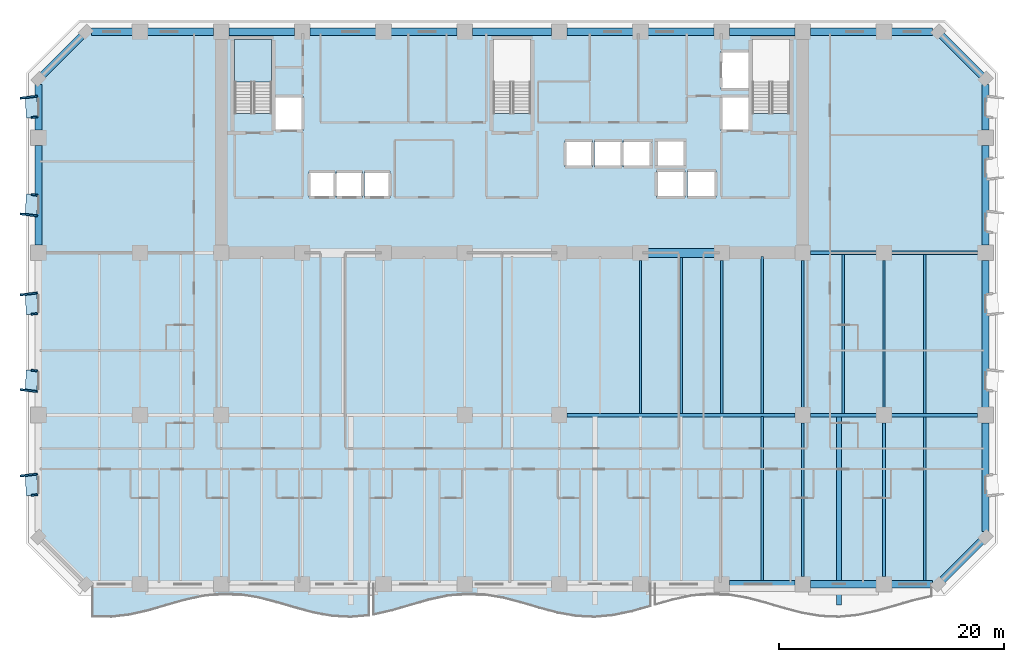
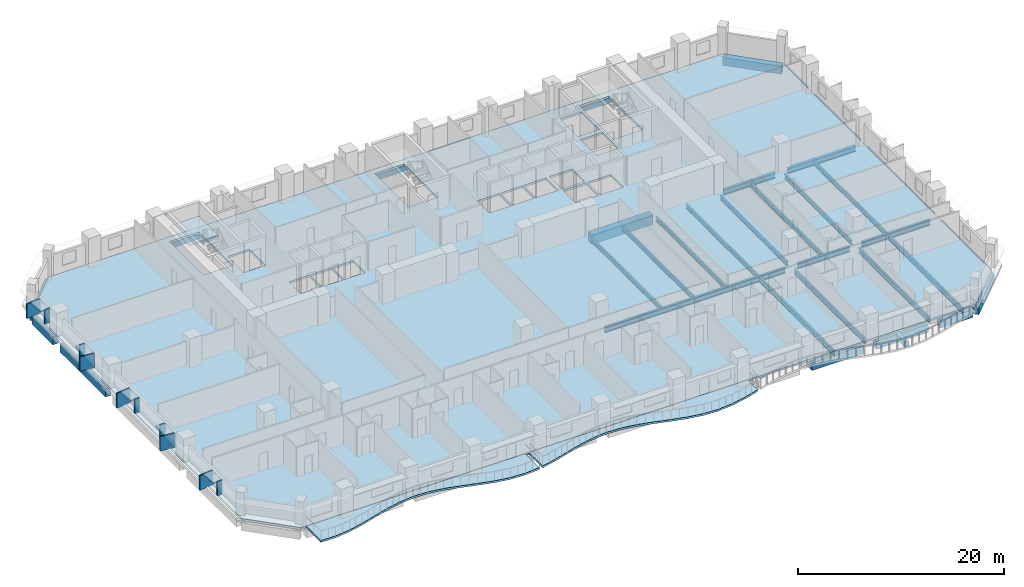
# One storey, part 2 of 15: 42 beams, 15 plates, 4 slabs, 1 element without a shape of its own.
"""IFC4 building model written with IfcOpenShell, lengths in metres."""

from ifc_helpers import new_model, si_unit, direction, frame, origin, origin_2d, place, context, subcontext, project, spatial, polyline, rectangle, i_section, outline, extrude, material, layer, layer_set, material_profile, profile_set, type_object, element, aggregate, save


model = new_model("IFC4")

# Units and contexts
model_context = context("Model", 3, precision=1e-05, world=origin(), true_north=direction((0.0, 1.0)))
body_context = subcontext(model_context, "Body", "Model", "MODEL_VIEW")
ifc_project = project(units=[si_unit("LENGTHUNIT", "METRE"), si_unit("AREAUNIT", "SQUARE_METRE"), si_unit("VOLUMEUNIT", "CUBIC_METRE"), si_unit("PLANEANGLEUNIT", "RADIAN"), si_unit("MASSUNIT", "GRAM", prefix="KILO")], contexts=[model_context])

# Site, building, storey
site_placement = place(None, origin())
site = spatial("IfcSite", under=ifc_project, at=site_placement, CompositionType="ELEMENT")
building_placement = place(site_placement, origin())
building = spatial("IfcBuilding", under=site, at=building_placement, Name="Kaelvorn Grand Hotel", CompositionType="ELEMENT")
storey_placement = place(building_placement, frame((0.0, 0.0, 46.39990234375)))
storey = spatial("IfcBuildingStorey", under=building, at=storey_placement, Name="L09", CompositionType="ELEMENT", Elevation=46.39990234375)

# Beams
ifc_material_1 = material(Name="Steel S355", Category="steel")
ifc_material_profile_1 = material_profile(ifc_material_1, i_section(OverallWidth=0.300048828125, OverallDepth=0.64990234375, WebThickness=0.01611328125, FlangeThickness=0.031005859375, FilletRadius=0.027099609375, at=origin_2d()), Name="HEB 650")
ifc_profile_set_1 = profile_set([ifc_material_profile_1], Name="Steel S355")
beam_type_1 = type_object("IfcBeamType", Name="BM-G-HEB650-S355", PredefinedType="BEAM", material=ifc_profile_set_1)
beam_1_placement = place(storey_placement, frame((46.885009765625, 15.0, -0.56494140625), z_axis=(1.0, 0.0, 0.0), x_axis=(0.0, 1.0, 0.0)))
element("IfcBeam", 1, at=beam_1_placement, inside=storey, type_object=beam_type_1, Name="L09 Primary Spine Steel Girder G-15 05", PredefinedType="BEAM", context=body_context, shape_type="SweptSolid", body=[
    extrude(i_section(OverallWidth=0.300048828125, OverallDepth=0.64990234375, WebThickness=0.01611328125, FlangeThickness=0.031005859375, FilletRadius=0.027099609375, at=origin_2d()), origin(), (0.0, 0.0, 1.0), 20.22998046875),
])
beam_2_placement = place(storey_placement, frame((68.485107421875, 15.0, -0.56494140625), z_axis=(1.0, 0.0, 0.0), x_axis=(0.0, 1.0, 0.0)))
element("IfcBeam", 2, at=beam_2_placement, inside=storey, type_object=beam_type_1, Name="L09 Primary Spine Steel Girder G-15 06", PredefinedType="BEAM", context=body_context, shape_type="SweptSolid", body=[
    extrude(i_section(OverallWidth=0.300048828125, OverallDepth=0.64990234375, WebThickness=0.01611328125, FlangeThickness=0.031005859375, FilletRadius=0.027099609375, at=origin_2d()), origin(), (0.0, 0.0, 1.0), 5.829833984375),
])
beam_3_placement = place(storey_placement, frame((75.68505859375, 15.0, -0.56494140625), z_axis=(1.0, 0.0, 0.0), x_axis=(0.0, 1.0, 0.0)))
element("IfcBeam", 3, at=beam_3_placement, inside=storey, type_object=beam_type_1, Name="L09 Primary Spine Steel Girder G-15 07", PredefinedType="BEAM", context=body_context, shape_type="SweptSolid", body=[
    extrude(i_section(OverallWidth=0.300048828125, OverallDepth=0.64990234375, WebThickness=0.01611328125, FlangeThickness=0.031005859375, FilletRadius=0.027099609375, at=origin_2d()), origin(), (0.0, 0.0, 1.0), 7.6298828125),
])
beam_4_placement = place(storey_placement, frame((68.485107421875, 29.39990234375, -0.56494140625), z_axis=(1.0, 0.0, 0.0), x_axis=(0.0, 1.0, 0.0)))
element("IfcBeam", 4, at=beam_4_placement, inside=storey, type_object=beam_type_1, Name="L09 East Core Wing Steel Girder G-29E 01", PredefinedType="BEAM", context=body_context, shape_type="SweptSolid", body=[
    extrude(i_section(OverallWidth=0.300048828125, OverallDepth=0.64990234375, WebThickness=0.01611328125, FlangeThickness=0.031005859375, FilletRadius=0.027099609375, at=origin_2d()), origin(), (0.0, 0.0, 1.0), 5.829833984375),
])
beam_5_placement = place(storey_placement, frame((75.68505859375, 29.39990234375, -0.56494140625), z_axis=(1.0, 0.0, 0.0), x_axis=(0.0, 1.0, 0.0)))
element("IfcBeam", 5, at=beam_5_placement, inside=storey, type_object=beam_type_1, Name="L09 East Core Wing Steel Girder G-29E 02", PredefinedType="BEAM", context=body_context, shape_type="SweptSolid", body=[
    extrude(i_section(OverallWidth=0.300048828125, OverallDepth=0.64990234375, WebThickness=0.01611328125, FlangeThickness=0.031005859375, FilletRadius=0.027099609375, at=origin_2d()), origin(), (0.0, 0.0, 1.0), 7.6298828125),
])
ifc_material_profile_2 = material_profile(ifc_material_1, i_section(OverallWidth=0.209228515625, OverallDepth=0.533203125, WebThickness=0.010009765625, FlangeThickness=0.015625, FilletRadius=0.0126953125, at=origin_2d()), Name="UB 533x210x92")
ifc_profile_set_2 = profile_set([ifc_material_profile_2], Name="Steel S355")
beam_type_2 = type_object("IfcBeamType", Name="BM-J-UB533-S355", PredefinedType="JOIST", material=ifc_profile_set_2)
beam_6_placement = place(storey_placement, frame((53.39990234375, 15.135009765625, -0.50634765625), z_axis=(0.0, 1.0, 0.0), x_axis=(-1.0, 0.0, 0.0)))
element("IfcBeam", 6, at=beam_6_placement, inside=storey, type_object=beam_type_2, Name="L09 Composite Floor Joist JM-15", PredefinedType="JOIST", context=body_context, shape_type="SweptSolid", body=[
    extrude(i_section(OverallWidth=0.209228515625, OverallDepth=0.533203125, WebThickness=0.010009765625, FlangeThickness=0.015625, FilletRadius=0.0126953125, at=origin_2d()), origin(), (0.0, 0.0, 1.0), 13.580078125),
])
beam_7_placement = place(storey_placement, frame((57.0, 15.135009765625, -0.50634765625), z_axis=(0.0, 1.0, 0.0), x_axis=(-1.0, 0.0, 0.0)))
element("IfcBeam", 7, at=beam_7_placement, inside=storey, type_object=beam_type_2, Name="L09 Composite Floor Joist JM-16", PredefinedType="JOIST", context=body_context, shape_type="SweptSolid", body=[
    extrude(i_section(OverallWidth=0.209228515625, OverallDepth=0.533203125, WebThickness=0.010009765625, FlangeThickness=0.015625, FilletRadius=0.0126953125, at=origin_2d()), origin(), (0.0, 0.0, 1.0), 13.925048828125),
])
beam_8_placement = place(storey_placement, frame((60.60009765625, 15.135009765625, -0.50634765625), z_axis=(0.0, 1.0, 0.0), x_axis=(-1.0, 0.0, 0.0)))
element("IfcBeam", 8, at=beam_8_placement, inside=storey, type_object=beam_type_2, Name="L09 Composite Floor Joist JM-17", PredefinedType="JOIST", context=body_context, shape_type="SweptSolid", body=[
    extrude(i_section(OverallWidth=0.209228515625, OverallDepth=0.533203125, WebThickness=0.010009765625, FlangeThickness=0.015625, FilletRadius=0.0126953125, at=origin_2d()), origin(), (0.0, 0.0, 1.0), 13.580078125),
])
beam_9_placement = place(storey_placement, frame((64.199951171875, 15.135009765625, -0.50634765625), z_axis=(0.0, 1.0, 0.0), x_axis=(-1.0, 0.0, 0.0)))
element("IfcBeam", 9, at=beam_9_placement, inside=storey, type_object=beam_type_2, Name="L09 Composite Floor Joist JM-18", PredefinedType="JOIST", context=body_context, shape_type="SweptSolid", body=[
    extrude(i_section(OverallWidth=0.209228515625, OverallDepth=0.533203125, WebThickness=0.010009765625, FlangeThickness=0.015625, FilletRadius=0.0126953125, at=origin_2d()), origin(), (0.0, 0.0, 1.0), 13.925048828125),
])
beam_10_placement = place(storey_placement, frame((67.800048828125, 15.68505859375, -0.50634765625), z_axis=(0.0, 1.0, 0.0), x_axis=(-1.0, 0.0, 0.0)))
element("IfcBeam", 10, at=beam_10_placement, inside=storey, type_object=beam_type_2, Name="L09 Composite Floor Joist JM-19", PredefinedType="JOIST", context=body_context, shape_type="SweptSolid", body=[
    extrude(i_section(OverallWidth=0.209228515625, OverallDepth=0.533203125, WebThickness=0.010009765625, FlangeThickness=0.015625, FilletRadius=0.0126953125, at=origin_2d()), origin(), (0.0, 0.0, 1.0), 13.030029296875),
])
beam_11_placement = place(storey_placement, frame((71.39990234375, 15.135009765625, -0.50634765625), z_axis=(0.0, 1.0, 0.0), x_axis=(-1.0, 0.0, 0.0)))
element("IfcBeam", 11, at=beam_11_placement, inside=storey, type_object=beam_type_2, Name="L09 Composite Floor Joist JM-20", PredefinedType="JOIST", context=body_context, shape_type="SweptSolid", body=[
    extrude(i_section(OverallWidth=0.209228515625, OverallDepth=0.533203125, WebThickness=0.010009765625, FlangeThickness=0.015625, FilletRadius=0.0126953125, at=origin_2d()), origin(), (0.0, 0.0, 1.0), 14.1298828125),
])
beam_12_placement = place(storey_placement, frame((75.0, 15.68505859375, -0.50634765625), z_axis=(0.0, 1.0, 0.0), x_axis=(-1.0, 0.0, 0.0)))
element("IfcBeam", 12, at=beam_12_placement, inside=storey, type_object=beam_type_2, Name="L09 Composite Floor Joist JM-21", PredefinedType="JOIST", context=body_context, shape_type="SweptSolid", body=[
    extrude(i_section(OverallWidth=0.209228515625, OverallDepth=0.533203125, WebThickness=0.010009765625, FlangeThickness=0.015625, FilletRadius=0.0126953125, at=origin_2d()), origin(), (0.0, 0.0, 1.0), 13.030029296875),
])
beam_13_placement = place(storey_placement, frame((78.60009765625, 15.135009765625, -0.50634765625), z_axis=(0.0, 1.0, 0.0), x_axis=(-1.0, 0.0, 0.0)))
element("IfcBeam", 13, at=beam_13_placement, inside=storey, type_object=beam_type_2, Name="L09 Composite Floor Joist JM-22", PredefinedType="JOIST", context=body_context, shape_type="SweptSolid", body=[
    extrude(i_section(OverallWidth=0.209228515625, OverallDepth=0.533203125, WebThickness=0.010009765625, FlangeThickness=0.015625, FilletRadius=0.0126953125, at=origin_2d()), origin(), (0.0, 0.0, 1.0), 14.1298828125),
])
ifc_material_profile_3 = material_profile(ifc_material_1, i_section(OverallWidth=0.22900390625, OverallDepth=0.6123046875, WebThickness=0.011962890625, FlangeThickness=0.01953125, FilletRadius=0.0126953125, at=origin_2d()), Name="UB 610x229x125")
ifc_profile_set_3 = profile_set([ifc_material_profile_3], Name="Steel S355")
beam_type_3 = type_object("IfcBeamType", Name="BM-J-UB610-S355", PredefinedType="JOIST", material=ifc_profile_set_3)
beam_14_placement = place(storey_placement, frame((64.199951171875, 0.31005859375, -0.5458984375), z_axis=(0.0, 1.0, 0.0), x_axis=(-1.0, 0.0, 0.0)))
element("IfcBeam", 14, at=beam_14_placement, inside=storey, type_object=beam_type_3, Name="L09 Composite Floor Joist JS-18", PredefinedType="JOIST", context=body_context, shape_type="SweptSolid", body=[
    extrude(i_section(OverallWidth=0.22900390625, OverallDepth=0.6123046875, WebThickness=0.011962890625, FlangeThickness=0.01953125, FilletRadius=0.0126953125, at=origin_2d()), origin(), (0.0, 0.0, 1.0), 14.554931640625),
])
for number, where, z_axis, x_axis, name in (
    (15, (67.800048828125, 0.68505859375, -0.5458984375), (0.0, 1.0, 0.0), (-1.0, 0.0, 0.0), "L09 Composite Floor Joist JS-19"),
    (16, (75.0, 0.68505859375, -0.5458984375), (0.0, 1.0, 0.0), (-1.0, 0.0, 0.0), "L09 Composite Floor Joist JS-21"),
):
    element("IfcBeam", number, at=place(storey_placement, frame(where, z_axis=z_axis, x_axis=x_axis)), inside=storey, type_object=beam_type_3, Name=name, PredefinedType="JOIST", context=body_context, shape_type="SweptSolid", body=[
        extrude(i_section(OverallWidth=0.22900390625, OverallDepth=0.6123046875, WebThickness=0.011962890625, FlangeThickness=0.01953125, FilletRadius=0.0126953125, at=origin_2d()), origin(), (0.0, 0.0, 1.0), 13.6298828125),
    ])
beam_15_placement = place(storey_placement, frame((78.60009765625, 0.31005859375, -0.5458984375), z_axis=(0.0, 1.0, 0.0), x_axis=(-1.0, 0.0, 0.0)))
element("IfcBeam", 17, at=beam_15_placement, inside=storey, type_object=beam_type_3, Name="L09 Composite Floor Joist JS-22", PredefinedType="JOIST", context=body_context, shape_type="SweptSolid", body=[
    extrude(i_section(OverallWidth=0.22900390625, OverallDepth=0.6123046875, WebThickness=0.011962890625, FlangeThickness=0.01953125, FilletRadius=0.0126953125, at=origin_2d()), origin(), (0.0, 0.0, 1.0), 14.554931640625),
])
ifc_material_2 = material(Name="Concrete C60/75", Category="concrete")
ifc_material_profile_4 = material_profile(ifc_material_2, rectangle(XDim=0.800048828125, YDim=1.10009765625, at=origin_2d()), Name="RC LINTEL 800x1100")
ifc_profile_set_4 = profile_set([ifc_material_profile_4], Name="Concrete C60/75")
beam_type_4 = type_object("IfcBeamType", Name="BM-LIN-800x1100-C60", PredefinedType="LINTEL", material=ifc_profile_set_4)
beam_16_placement = place(storey_placement, frame((53.580078125, 29.39990234375, -0.789794921875), z_axis=(1.0, 0.0, 0.0), x_axis=(0.0, 1.0, 0.0)))
element("IfcBeam", 18, at=beam_16_placement, inside=storey, type_object=beam_type_4, Name="L09 Rear-Core Coupling Lintel Beam CB1-03", PredefinedType="LINTEL", context=body_context, shape_type="SweptSolid", body=[
    extrude(rectangle(XDim=0.800048828125, YDim=1.10009765625, at=origin_2d()), origin(), (0.0, 0.0, 1.0), 6.83984375),
])
ifc_material_3 = material(Name="Concrete C40/50", Category="concrete")
ifc_material_profile_5 = material_profile(ifc_material_3, rectangle(XDim=0.449951171875, YDim=0.64990234375, at=origin_2d()), Name="RC RIB 450x650")
ifc_profile_set_5 = profile_set([ifc_material_profile_5], Name="Concrete C40/50")
beam_type_5 = type_object("IfcBeamType", Name="BM-RIB-450x650-C40", PredefinedType="SPANDREL", material=ifc_profile_set_5)
beam_17_placement = place(storey_placement, frame((71.022216796875, -1.85009765625, -0.544921875), z_axis=(0.0, 1.0, 0.0), x_axis=(-1.0, 0.0, 0.0)))
element("IfcBeam", 19, at=beam_17_placement, inside=storey, type_object=beam_type_5, Name="L09 Cantilevered Balcony Back-Span Rib RB1-3", PredefinedType="SPANDREL", context=body_context, shape_type="SweptSolid", body=[
    extrude(rectangle(XDim=0.449951171875, YDim=0.64990234375, at=origin_2d()), origin(), (0.0, 0.0, 1.0), 16.715087890625),
])
ifc_material_profile_6 = material_profile(ifc_material_2, rectangle(XDim=0.64990234375, YDim=0.949951171875, at=origin_2d()), Name="RC SPANDREL 650x950")
ifc_profile_set_6 = profile_set([ifc_material_profile_6], Name="Concrete C60/75")
beam_type_6 = type_object("IfcBeamType", Name="BM-SP-650x950-C60", PredefinedType="SPANDREL", material=ifc_profile_set_6)
beam_18_placement = place(storey_placement, frame((61.284912109375, 0.0, -0.71484375), z_axis=(1.0, 0.0, 0.0), x_axis=(0.0, 1.0, 0.0)))
element("IfcBeam", 20, at=beam_18_placement, inside=storey, type_object=beam_type_6, Name="L09 South Perimeter Spandrel 09", PredefinedType="SPANDREL", context=body_context, shape_type="SweptSolid", body=[
    extrude(rectangle(XDim=0.64990234375, YDim=0.949951171875, at=origin_2d()), origin(), (0.0, 0.0, 1.0), 5.830078125),
])
beam_19_placement = place(storey_placement, frame((68.485107421875, 0.0, -0.71484375), z_axis=(1.0, 0.0, 0.0), x_axis=(0.0, 1.0, 0.0)))
element("IfcBeam", 21, at=beam_19_placement, inside=storey, type_object=beam_type_6, Name="L09 South Perimeter Spandrel 10", PredefinedType="SPANDREL", context=body_context, shape_type="SweptSolid", body=[
    extrude(rectangle(XDim=0.64990234375, YDim=0.949951171875, at=origin_2d()), origin(), (0.0, 0.0, 1.0), 5.829833984375),
])
for number, where, z_axis, x_axis, name in (
    (22, (75.68505859375, 0.0, -0.71484375), (1.0, 0.0, 0.0), (0.0, 1.0, 0.0), "L09 South Perimeter Spandrel 11"),
    (23, (4.68505859375, 49.0, -0.71484375), (1.0, 0.0, 0.0), (0.0, 1.0, 0.0), "L09 North Perimeter Spandrel 01"),
):
    element("IfcBeam", number, at=place(storey_placement, frame(where, z_axis=z_axis, x_axis=x_axis)), inside=storey, type_object=beam_type_6, Name=name, PredefinedType="SPANDREL", context=body_context, shape_type="SweptSolid", body=[
        extrude(rectangle(XDim=0.64990234375, YDim=0.949951171875, at=origin_2d()), origin(), (0.0, 0.0, 1.0), 3.6298828125),
    ])
beam_20_placement = place(storey_placement, frame((9.68505859375, 49.0, -0.71484375), z_axis=(1.0, 0.0, 0.0), x_axis=(0.0, 1.0, 0.0)))
element("IfcBeam", 24, at=beam_20_placement, inside=storey, type_object=beam_type_6, Name="L09 North Perimeter Spandrel 02", PredefinedType="SPANDREL", context=body_context, shape_type="SweptSolid", body=[
    extrude(rectangle(XDim=0.64990234375, YDim=0.949951171875, at=origin_2d()), origin(), (0.0, 0.0, 1.0), 5.829833984375),
])
for number, where, z_axis, x_axis, name in (
    (25, (16.885009765625, 49.0, -0.71484375), (1.0, 0.0, 0.0), (0.0, 1.0, 0.0), "L09 North Perimeter Spandrel 03"),
    (26, (24.0849609375, 49.0, -0.71484375), (1.0, 0.0, 0.0), (0.0, 1.0, 0.0), "L09 North Perimeter Spandrel 04"),
    (27, (31.284912109375, 49.0, -0.71484375), (1.0, 0.0, 0.0), (0.0, 1.0, 0.0), "L09 North Perimeter Spandrel 05"),
):
    element("IfcBeam", number, at=place(storey_placement, frame(where, z_axis=z_axis, x_axis=x_axis)), inside=storey, type_object=beam_type_6, Name=name, PredefinedType="SPANDREL", context=body_context, shape_type="SweptSolid", body=[
        extrude(rectangle(XDim=0.64990234375, YDim=0.949951171875, at=origin_2d()), origin(), (0.0, 0.0, 1.0), 5.830078125),
    ])
beam_21_placement = place(storey_placement, frame((38.485107421875, 49.0, -0.71484375), z_axis=(1.0, 0.0, 0.0), x_axis=(0.0, 1.0, 0.0)))
element("IfcBeam", 28, at=beam_21_placement, inside=storey, type_object=beam_type_6, Name="L09 North Perimeter Spandrel 06", PredefinedType="SPANDREL", context=body_context, shape_type="SweptSolid", body=[
    extrude(rectangle(XDim=0.64990234375, YDim=0.949951171875, at=origin_2d()), origin(), (0.0, 0.0, 1.0), 7.02978515625),
])
for number, where, z_axis, x_axis, name in (
    (29, (46.885009765625, 49.0, -0.71484375), (1.0, 0.0, 0.0), (0.0, 1.0, 0.0), "L09 North Perimeter Spandrel 07"),
    (30, (54.0849609375, 49.0, -0.71484375), (1.0, 0.0, 0.0), (0.0, 1.0, 0.0), "L09 North Perimeter Spandrel 08"),
    (31, (61.284912109375, 49.0, -0.71484375), (1.0, 0.0, 0.0), (0.0, 1.0, 0.0), "L09 North Perimeter Spandrel 09"),
):
    element("IfcBeam", number, at=place(storey_placement, frame(where, z_axis=z_axis, x_axis=x_axis)), inside=storey, type_object=beam_type_6, Name=name, PredefinedType="SPANDREL", context=body_context, shape_type="SweptSolid", body=[
        extrude(rectangle(XDim=0.64990234375, YDim=0.949951171875, at=origin_2d()), origin(), (0.0, 0.0, 1.0), 5.830078125),
    ])
beam_22_placement = place(storey_placement, frame((68.485107421875, 49.0, -0.71484375), z_axis=(1.0, 0.0, 0.0), x_axis=(0.0, 1.0, 0.0)))
element("IfcBeam", 32, at=beam_22_placement, inside=storey, type_object=beam_type_6, Name="L09 North Perimeter Spandrel 10", PredefinedType="SPANDREL", context=body_context, shape_type="SweptSolid", body=[
    extrude(rectangle(XDim=0.64990234375, YDim=0.949951171875, at=origin_2d()), origin(), (0.0, 0.0, 1.0), 5.829833984375),
])
beam_23_placement = place(storey_placement, frame((75.68505859375, 49.0, -0.71484375), z_axis=(1.0, 0.0, 0.0), x_axis=(0.0, 1.0, 0.0)))
element("IfcBeam", 33, at=beam_23_placement, inside=storey, type_object=beam_type_6, Name="L09 North Perimeter Spandrel 11", PredefinedType="SPANDREL", context=body_context, shape_type="SweptSolid", body=[
    extrude(rectangle(XDim=0.64990234375, YDim=0.949951171875, at=origin_2d()), origin(), (0.0, 0.0, 1.0), 3.6298828125),
])
beam_24_placement = place(storey_placement, frame((0.0, 30.0849609375, -0.71484375), z_axis=(0.0, 1.0, 0.0), x_axis=(-1.0, 0.0, 0.0)))
element("IfcBeam", 34, at=beam_24_placement, inside=storey, type_object=beam_type_6, Name="L09 West Perimeter Spandrel 03", PredefinedType="SPANDREL", context=body_context, shape_type="SweptSolid", body=[
    extrude(rectangle(XDim=0.64990234375, YDim=0.949951171875, at=origin_2d()), origin(), (0.0, 0.0, 1.0), 8.830078125),
])
beam_25_placement = place(storey_placement, frame((0.0, 40.284912109375, -0.71484375), z_axis=(0.0, 1.0, 0.0), x_axis=(-1.0, 0.0, 0.0)))
element("IfcBeam", 35, at=beam_25_placement, inside=storey, type_object=beam_type_6, Name="L09 West Perimeter Spandrel 04", PredefinedType="SPANDREL", context=body_context, shape_type="SweptSolid", body=[
    extrude(rectangle(XDim=0.64990234375, YDim=0.949951171875, at=origin_2d()), origin(), (0.0, 0.0, 1.0), 4.030029296875),
])
beam_26_placement = place(storey_placement, frame((84.0, 4.68505859375, -0.71484375), z_axis=(0.0, 1.0, 0.0), x_axis=(-1.0, 0.0, 0.0)))
element("IfcBeam", 36, at=beam_26_placement, inside=storey, type_object=beam_type_6, Name="L09 East Perimeter Spandrel 01", PredefinedType="SPANDREL", context=body_context, shape_type="SweptSolid", body=[
    extrude(rectangle(XDim=0.64990234375, YDim=0.949951171875, at=origin_2d()), origin(), (0.0, 0.0, 1.0), 9.6298828125),
])
beam_27_placement = place(storey_placement, frame((84.0, 15.68505859375, -0.71484375), z_axis=(0.0, 1.0, 0.0), x_axis=(-1.0, 0.0, 0.0)))
element("IfcBeam", 37, at=beam_27_placement, inside=storey, type_object=beam_type_6, Name="L09 East Perimeter Spandrel 02", PredefinedType="SPANDREL", context=body_context, shape_type="SweptSolid", body=[
    extrude(rectangle(XDim=0.64990234375, YDim=0.949951171875, at=origin_2d()), origin(), (0.0, 0.0, 1.0), 13.030029296875),
])
beam_28_placement = place(storey_placement, frame((84.0, 30.0849609375, -0.71484375), z_axis=(0.0, 1.0, 0.0), x_axis=(-1.0, 0.0, 0.0)))
element("IfcBeam", 38, at=beam_28_placement, inside=storey, type_object=beam_type_6, Name="L09 East Perimeter Spandrel 03", PredefinedType="SPANDREL", context=body_context, shape_type="SweptSolid", body=[
    extrude(rectangle(XDim=0.64990234375, YDim=0.949951171875, at=origin_2d()), origin(), (0.0, 0.0, 1.0), 8.830078125),
])
beam_29_placement = place(storey_placement, frame((84.0, 40.284912109375, -0.71484375), z_axis=(0.0, 1.0, 0.0), x_axis=(-1.0, 0.0, 0.0)))
element("IfcBeam", 39, at=beam_29_placement, inside=storey, type_object=beam_type_6, Name="L09 East Perimeter Spandrel 04", PredefinedType="SPANDREL", context=body_context, shape_type="SweptSolid", body=[
    extrude(rectangle(XDim=0.64990234375, YDim=0.949951171875, at=origin_2d()), origin(), (0.0, 0.0, 1.0), 4.030029296875),
])
for number, where, z_axis, x_axis, name in (
    (40, (79.800048828125, 0.0, -0.71484375), (0.707106781187, 0.707106781187, 0.0), (-0.707106781187, 0.707106781187, 0.0), "L09 Chamfer Spandrel Beam 1"),
    (41, (84.0, 44.800048828125, -0.71484375), (-0.707106781187, 0.707106781187, 0.0), (-0.707106781187, -0.707106781187, 0.0), "L09 Chamfer Spandrel Beam 2"),
    (42, (4.199951171875, 49.0, -0.71484375), (-0.707106781187, -0.707106781187, 0.0), (0.707106781187, -0.707106781187, 0.0), "L09 Chamfer Spandrel Beam 3"),
):
    element("IfcBeam", number, at=place(storey_placement, frame(where, z_axis=z_axis, x_axis=x_axis)), inside=storey, type_object=beam_type_6, Name=name, PredefinedType="SPANDREL", context=body_context, shape_type="SweptSolid", body=[
        extrude(rectangle(XDim=0.64990234375, YDim=0.949951171875, at=origin_2d()), origin(), (0.0, 0.0, 1.0), 5.939697265625),
    ])

# Plates
ifc_material_4 = material(Name="Precast concrete C45/55", Category="concrete")
ifc_layer_1 = layer(ifc_material_4, 0.159912109375)
ifc_layer_set_1 = layer_set([ifc_layer_1], Name="Precast concrete C45/55")
plate_type_1 = type_object("IfcPlateType", Name="PL-FRAME-DEEP-1550", PredefinedType="USERDEFINED", material=ifc_layer_set_1)
for number, where, z_axis, x_axis, name in (
    (43, (-0.864990234375, 9.68994140625, 0.68994140625), (0.0, 0.0, 1.0), (-0.121869343405, 0.992546151641, 0.0), "L09 Tilted Precast Window Frame Fin R-W01"),
    (44, (-0.864990234375, 17.175048828125, 0.68994140625), (0.0, 0.0, 1.0), (0.121869343405, 0.992546151641, 0.0), "L09 Tilted Precast Window Frame Fin L-W02"),
    (45, (-0.864990234375, 25.7548828125, 0.68994140625), (0.0, 0.0, 1.0), (-0.121869343405, 0.992546151641, 0.0), "L09 Tilted Precast Window Frame Fin R-W03"),
    (46, (-0.864990234375, 32.760009765625, 0.68994140625), (0.0, 0.0, 1.0), (0.121869343405, 0.992546151641, 0.0), "L09 Tilted Precast Window Frame Fin L-W04"),
    (47, (-0.864990234375, 43.205078125, 0.68994140625), (0.0, 0.0, 1.0), (-0.121869343405, 0.992546151641, 0.0), "L09 Tilted Precast Window Frame Fin R-W05"),
):
    element("IfcPlate", number, at=place(storey_placement, frame(where, z_axis=z_axis, x_axis=x_axis)), inside=storey, type_object=plate_type_1, Name=name, ObjectType="FLANGE_PLATE", PredefinedType="USERDEFINED", context=body_context, shape_type="SweptSolid", body=[
        extrude(rectangle(XDim=0.159912109375, YDim=1.550048828125, at=origin_2d()), origin(), (0.0, 0.0, 1.0), 1.719970703125),
    ])
ifc_layer_2 = layer(ifc_material_4, 0.159912109375)
ifc_layer_set_2 = layer_set([ifc_layer_2], Name="Precast concrete C45/55")
plate_type_2 = type_object("IfcPlateType", Name="PL-FRAME-HEAD-1050", PredefinedType="USERDEFINED", material=ifc_layer_set_2)
for number, where, z_axis, x_axis, name in (
    (48, (-0.614990234375, 8.800048828125, 2.25), (0.0, 0.0, 1.0), (-0.054950179912, 0.998489097451, 0.0), "L09 Precast Window Frame Head Hood H-W01"),
    (49, (-0.614990234375, 18.06494140625, 2.25), (0.0, 0.0, 1.0), (0.054950179912, 0.998489097451, 0.0), "L09 Precast Window Frame Head Hood H-W02"),
    (50, (-0.614990234375, 24.864990234375, 2.25), (0.0, 0.0, 1.0), (-0.054950179912, 0.998489097451, 0.0), "L09 Precast Window Frame Head Hood H-W03"),
    (51, (-0.614990234375, 33.64990234375, 2.25), (0.0, 0.0, 1.0), (0.054950179912, 0.998489097451, 0.0), "L09 Precast Window Frame Head Hood H-W04"),
    (52, (-0.614990234375, 42.31494140625, 2.25), (0.0, 0.0, 1.0), (-0.054950179912, 0.998489097451, 0.0), "L09 Precast Window Frame Head Hood H-W05"),
):
    element("IfcPlate", number, at=place(storey_placement, frame(where, z_axis=z_axis, x_axis=x_axis)), inside=storey, type_object=plate_type_2, Name=name, ObjectType="FLANGE_PLATE", PredefinedType="USERDEFINED", context=body_context, shape_type="SweptSolid", body=[
        extrude(rectangle(XDim=1.860107421875, YDim=1.050048828125, at=origin_2d()), origin(), (0.0, 0.0, 1.0), 0.159912109375),
    ])
ifc_layer_3 = layer(ifc_material_4, 0.159912109375)
ifc_layer_set_3 = layer_set([ifc_layer_3], Name="Precast concrete C45/55")
plate_type_3 = type_object("IfcPlateType", Name="PL-FRAME-SHAL-550", PredefinedType="USERDEFINED", material=ifc_layer_set_3)
for number, where, z_axis, x_axis, name in (
    (53, (-0.364990234375, 7.909912109375, 0.68994140625), (0.0, 0.0, 1.0), (-0.121869343405, 0.992546151641, 0.0), "L09 Tilted Precast Window Frame Fin L-W01"),
    (54, (-0.364990234375, 18.955078125, 0.68994140625), (0.0, 0.0, 1.0), (0.121869343405, 0.992546151641, 0.0), "L09 Tilted Precast Window Frame Fin R-W02"),
    (55, (-0.364990234375, 23.97509765625, 0.68994140625), (0.0, 0.0, 1.0), (-0.121869343405, 0.992546151641, 0.0), "L09 Tilted Precast Window Frame Fin L-W03"),
    (56, (-0.364990234375, 34.5400390625, 0.68994140625), (0.0, 0.0, 1.0), (0.121869343405, 0.992546151641, 0.0), "L09 Tilted Precast Window Frame Fin R-W04"),
    (57, (-0.364990234375, 41.425048828125, 0.68994140625), (0.0, 0.0, 1.0), (-0.121869343405, 0.992546151641, 0.0), "L09 Tilted Precast Window Frame Fin L-W05"),
):
    element("IfcPlate", number, at=place(storey_placement, frame(where, z_axis=z_axis, x_axis=x_axis)), inside=storey, type_object=plate_type_3, Name=name, ObjectType="FLANGE_PLATE", PredefinedType="USERDEFINED", context=body_context, shape_type="SweptSolid", body=[
        extrude(rectangle(XDim=0.159912109375, YDim=0.550048828125, at=origin_2d()), origin(), (0.0, 0.0, 1.0), 1.719970703125),
    ])

# Slabs
ifc_layer_4 = layer(ifc_material_3, 0.219970703125)
ifc_layer_set_4 = layer_set([ifc_layer_4], Name="Concrete C40/50")
slab_type_1 = type_object("IfcSlabType", Name="SLB-BALC-220-C40", PredefinedType="FLOOR", material=ifc_layer_set_4)
slab_1_placement = place(storey_placement, frame((0.0, 0.0, -0.219970703125)))
element("IfcSlab", 58, at=slab_1_placement, inside=storey, type_object=slab_type_1, Name="L09 Scalloped Wave Balcony Slab 1", PredefinedType="FLOOR", context=body_context, shape_type="SweptSolid", body=[
    extrude(outline(polyline([(4.800048828125, -2.849853515625), (6.435546875, -2.88671875), (8.071044921875, -2.69873046875), (9.706787109375, -2.327880859375), (11.34228515625, -1.8564453125), (12.977783203125, -1.38916015625), (14.61328125, -1.02978515625), (16.248779296875, -0.858154296875), (17.884521484375, -0.912353515625), (19.52001953125, -1.180419921875), (21.155517578125, -1.602783203125), (22.791015625, -2.08544921875), (24.4267578125, -2.521484375), (26.062255859375, -2.81396484375), (27.69775390625, -2.89794921875), (29.333251953125, -2.754638671875), (29.333251953125, 0.0), (4.800048828125, 0.0), (4.800048828125, -2.849853515625)])), origin(), (0.0, 0.0, 1.0), 0.219970703125),
])
slab_2_placement = place(storey_placement, frame((0.0, 0.0, -0.219970703125)))
element("IfcSlab", 59, at=slab_2_placement, inside=storey, type_object=slab_type_1, Name="L09 Scalloped Wave Balcony Slab 2", PredefinedType="FLOOR", context=body_context, shape_type="SweptSolid", body=[
    extrude(outline(polyline([(29.7333984375, -2.6875), (31.368896484375, -2.311279296875), (33.00439453125, -1.837890625), (34.639892578125, -1.372802734375), (36.275634765625, -1.019287109375), (37.9111328125, -0.85595703125), (39.546630859375, -0.918701171875), (41.18212890625, -1.194091796875), (42.81787109375, -1.62060546875), (44.453369140625, -2.103759765625), (46.0888671875, -2.535888671875), (47.724365234375, -2.8212890625), (49.360107421875, -2.896484375), (50.99560546875, -2.744873046875), (52.631103515625, -2.400146484375), (54.2666015625, -1.9384765625), (54.2666015625, 0.0), (29.7333984375, 0.0), (29.7333984375, -2.6875)])), origin(), (0.0, 0.0, 1.0), 0.219970703125),
])
ifc_layer_5 = layer(ifc_material_3, 0.239990234375)
ifc_layer_set_5 = layer_set([ifc_layer_5], Name="Concrete C40/50")
slab_type_2 = type_object("IfcSlabType", Name="SLB-FLR-240-C40", PredefinedType="FLOOR", material=ifc_layer_set_5)
slab_3_placement = place(storey_placement, frame((0.0, 0.0, -0.239990234375)))
element("IfcSlab", 60, at=slab_3_placement, inside=storey, type_object=slab_type_2, Name="L09 Indoor Suspended Floor Slab", PredefinedType="FLOOR", context=body_context, shape_type="SweptSolid", body=[
    extrude(outline(polyline([(4.199951171875, 0.0), (79.800048828125, 0.0), (84.0, 4.199951171875), (84.0, 44.800048828125), (79.800048828125, 49.0), (4.199951171875, 49.0), (0.0, 44.800048828125), (0.0, 4.199951171875), (4.199951171875, 0.0)]), holes=[polyline([(17.39990234375, 41.760009765625), (17.39990234375, 48.300048828125), (20.679931640625, 48.300048828125), (20.679931640625, 41.760009765625), (17.39990234375, 41.760009765625)]), polyline([(40.360107421875, 41.760009765625), (40.360107421875, 48.300048828125), (43.639892578125, 48.300048828125), (43.639892578125, 41.760009765625), (40.360107421875, 41.760009765625)]), polyline([(63.320068359375, 41.760009765625), (63.320068359375, 48.300048828125), (66.60009765625, 48.300048828125), (66.60009765625, 41.760009765625), (63.320068359375, 41.760009765625)]), polyline([(24.0, 34.300048828125), (24.0, 36.60009765625), (26.300048828125, 36.60009765625), (26.300048828125, 34.300048828125), (24.0, 34.300048828125)]), polyline([(26.449951171875, 34.300048828125), (26.449951171875, 36.60009765625), (28.75, 36.60009765625), (28.75, 34.300048828125), (26.449951171875, 34.300048828125)]), polyline([(28.89990234375, 34.300048828125), (28.89990234375, 36.60009765625), (31.199951171875, 36.60009765625), (31.199951171875, 34.300048828125), (28.89990234375, 34.300048828125)]), polyline([(46.699951171875, 37.0), (46.699951171875, 39.35009765625), (49.14990234375, 39.35009765625), (49.14990234375, 37.0), (46.699951171875, 37.0)]), polyline([(49.300048828125, 37.0), (49.300048828125, 39.35009765625), (51.75, 39.35009765625), (51.75, 37.0), (49.300048828125, 37.0)]), polyline([(51.89990234375, 37.0), (51.89990234375, 39.35009765625), (54.35009765625, 39.35009765625), (54.35009765625, 37.0), (51.89990234375, 37.0)]), polyline([(54.800048828125, 34.300048828125), (54.800048828125, 36.699951171875), (57.35009765625, 36.699951171875), (57.35009765625, 34.300048828125), (54.800048828125, 34.300048828125)]), polyline([(57.550048828125, 34.300048828125), (57.550048828125, 36.699951171875), (60.10009765625, 36.699951171875), (60.10009765625, 34.300048828125), (57.550048828125, 34.300048828125)]), polyline([(54.800048828125, 37.0), (54.800048828125, 39.39990234375), (57.35009765625, 39.39990234375), (57.35009765625, 37.0), (54.800048828125, 37.0)]), polyline([(21.0, 40.199951171875), (21.0, 43.300048828125), (23.449951171875, 43.300048828125), (23.449951171875, 40.199951171875), (21.0, 40.199951171875)]), polyline([(60.550048828125, 40.199951171875), (60.550048828125, 43.300048828125), (63.0, 43.300048828125), (63.0, 40.199951171875), (60.550048828125, 40.199951171875)]), polyline([(60.550048828125, 43.89990234375), (60.550048828125, 47.300048828125), (63.0, 47.300048828125), (63.0, 43.89990234375), (60.550048828125, 43.89990234375)])]), origin(), (0.0, 0.0, 1.0), 0.239990234375),
])

# Stair, slab
stair_type = type_object("IfcStairType", Name="STR-DOG-1560-R06", PredefinedType="HALF_TURN_STAIR", material=ifc_material_3)
stair_placement = place(storey_placement, origin())
stair = element("IfcStair", 61, at=stair_placement, inside=storey, type_object=stair_type, Name="L09 West Core Exit Stair ST1", PredefinedType="HALF_TURN_STAIR")
ifc_layer_6 = layer(ifc_material_3, 0.199951171875)
ifc_layer_set_6 = layer_set([ifc_layer_6], Name="Concrete C40/50")
slab_type_3 = type_object("IfcSlabType", Name="SLB-LAND-200-C40", PredefinedType="LANDING", material=ifc_layer_set_6)
slab_4_placement = place(storey_placement, frame((0.0, 0.0, 1.675048828125)))
slab_4 = element("IfcSlab", 62, at=slab_4_placement, type_object=slab_type_3, Name="ST1 landing 1", PredefinedType="LANDING", context=body_context, shape_type="SweptSolid", body=[
    extrude(outline(polyline([(20.679931640625, 44.56005859375), (20.679931640625, 48.300048828125), (17.39990234375, 48.300048828125), (17.39990234375, 44.56005859375), (20.679931640625, 44.56005859375)])), origin(), (0.0, 0.0, 1.0), 0.199951171875),
])
aggregate(stair, [slab_4])

save(model, "model.ifc")
